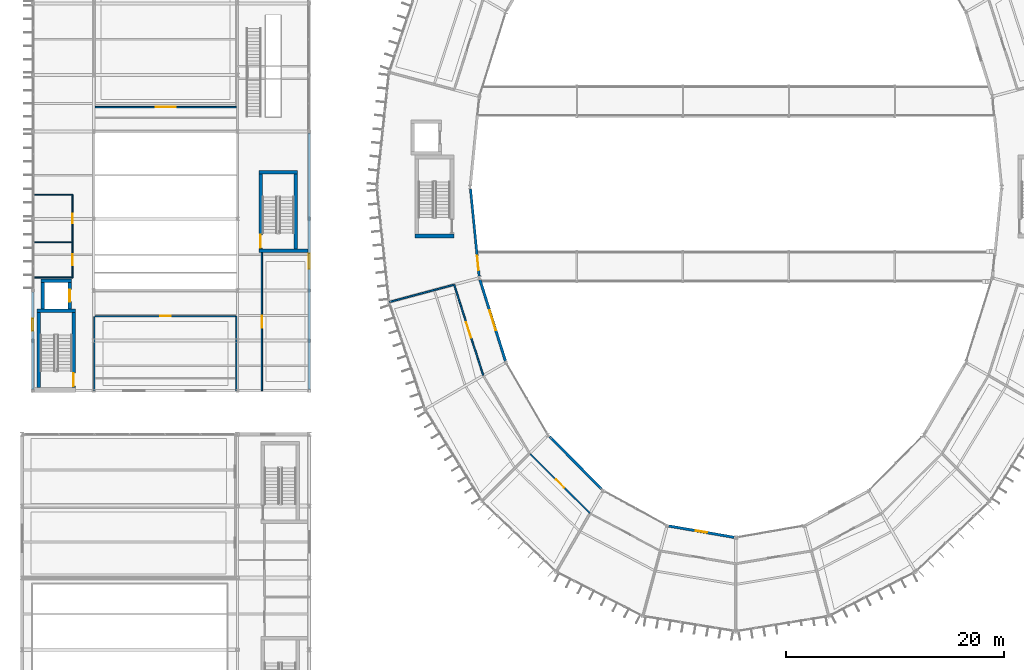
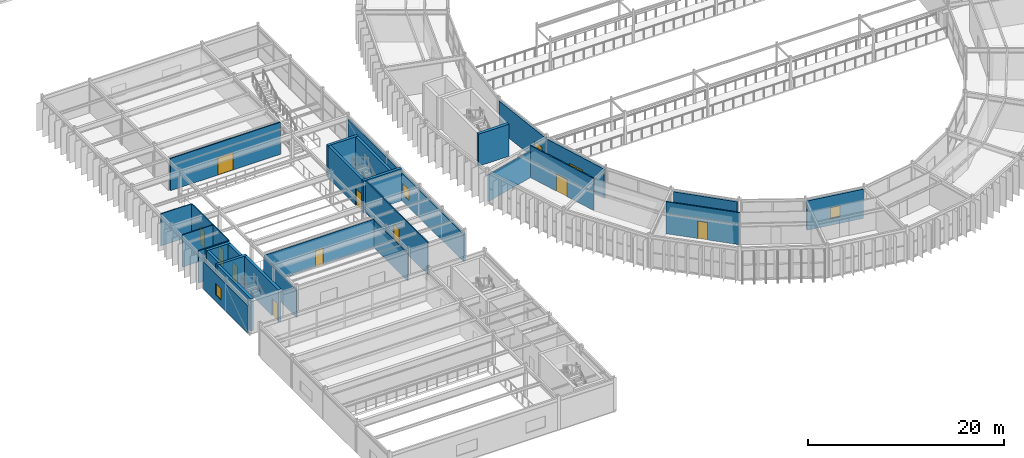
# One storey, part 122 of 148: 30 walls, 11 doors, 4 windows, 15 openings.
"""IFC4 building model written with IfcOpenShell, lengths in metres."""

from ifc_helpers import new_model, si_unit, direction, frame, frame_2d, origin, place, context, subcontext, project, spatial, rectangle, extrude, material, layer, layer_set, type_object, element, fill, save


model = new_model("IFC4")

# Units and contexts
model_context = context("Model", 3, precision=1e-05, world=origin(), true_north=direction((0.0, 1.0)))
body_context = subcontext(model_context, "Body", "Model", "MODEL_VIEW")
ifc_project = project(units=[si_unit("LENGTHUNIT", "METRE"), si_unit("AREAUNIT", "SQUARE_METRE"), si_unit("VOLUMEUNIT", "CUBIC_METRE"), si_unit("PLANEANGLEUNIT", "RADIAN"), si_unit("MASSUNIT", "GRAM", prefix="KILO")], contexts=[model_context])

# Site, building, storey
site_placement = place(None, origin())
site = spatial("IfcSite", under=ifc_project, at=site_placement, CompositionType="ELEMENT")
building_placement = place(site_placement, origin())
building = spatial("IfcBuilding", under=site, at=building_placement, Name="Karori Crest Natural Sciences Institute", CompositionType="ELEMENT")
storey_placement = place(building_placement, frame((0.0, 0.0, 4.89990234375)))
storey = spatial("IfcBuildingStorey", under=building, at=storey_placement, Name="L01", CompositionType="ELEMENT", Elevation=4.89990234375)

# Walls
ifc_material_1 = material(Name="Concrete 50 MPa", Category="concrete")
ifc_layer_1 = layer(ifc_material_1, 0.35009765625, Name="Concrete 50 MPa")
ifc_layer_set_1 = layer_set([ifc_layer_1], Name="Concrete 50 MPa")
wall_type_1 = type_object("IfcWallType", Name="IWT-02", PredefinedType="SHEAR", material=ifc_layer_set_1)
wall_1_placement = place(storey_placement, frame((36.89990234375, 45.425048828125, 0.0), z_axis=(0.0, 0.0, 1.0), x_axis=(1.0, 0.0, 0.0)))
element("IfcWall", 1, at=wall_1_placement, inside=storey, type_object=wall_type_1, Name="Shear wall IW-0045", PredefinedType="SHEAR", context=body_context, shape_type="SweptSolid", body=[
    extrude(rectangle(XDim=3.60009765625, YDim=0.35009765625, at=frame_2d((1.800048828125, 0.0))), origin(), (0.0, 0.0, 1.0), 3.97998046875),
])
ifc_layer_2 = layer(ifc_material_1, 0.320068359375, Name="Concrete 50 MPa")
ifc_layer_set_2 = layer_set([ifc_layer_2], Name="Concrete 50 MPa")
wall_type_2 = type_object("IfcWallType", Name="IWT-03", PredefinedType="SHEAR", material=ifc_layer_set_2)
wall_2_placement = place(storey_placement, frame((2.179931640625, 38.56005859375, 0.0), z_axis=(0.0, 0.0, 1.0), x_axis=(1.0, 0.0, 0.0)))
element("IfcWall", 2, at=wall_2_placement, inside=storey, type_object=wall_type_2, Name="Shear wall IW-0234", PredefinedType="SHEAR", context=body_context, shape_type="SweptSolid", body=[
    extrude(rectangle(XDim=3.5400390625, YDim=0.320068359375, at=frame_2d((1.77001953125, 0.0))), origin(), (0.0, 0.0, 1.0), 4.0),
])
wall_3_placement = place(storey_placement, frame((2.340087890625, 31.501953125, 0.0), z_axis=(0.0, 0.0, 1.0), x_axis=(0.0, 1.0, 0.0)))
element("IfcWall", 3, at=wall_3_placement, inside=storey, type_object=wall_type_2, Name="Shear wall IW-0235", PredefinedType="SHEAR", context=body_context, shape_type="SweptSolid", body=[
    extrude(rectangle(XDim=6.89599609375, YDim=0.320068359375, at=frame_2d((3.447998046875, 0.0))), origin(), (0.0, 0.0, 1.0), 4.0),
])

# Wall, opening, door
wall_4_placement = place(storey_placement, frame((5.56005859375, 31.501953125, 0.0), z_axis=(0.0, 0.0, 1.0), x_axis=(0.0, 1.0, 0.0)))
wall_4 = element("IfcWall", 4, at=wall_4_placement, inside=storey, type_object=wall_type_2, Name="Shear wall IW-0236", PredefinedType="SHEAR", context=body_context, shape_type="SweptSolid", body=[
    extrude(rectangle(XDim=6.89599609375, YDim=0.320068359375, at=frame_2d((3.447998046875, 0.0))), origin(), (0.0, 0.0, 1.0), 4.0),
])
opening_1_placement = place(wall_4_placement, frame((0.1201171875, 0.0, 0.0)))
opening_1 = element("IfcOpeningElement", 5, at=opening_1_placement, cuts=wall_4, Name="Opening ID-0059", PredefinedType="OPENING", context=body_context, shape_type="SweptSolid", body=[
    extrude(rectangle(XDim=1.199951171875, YDim=2.14990234375, at=frame_2d((0.60009765625, 1.074951171875))), frame((0.0, 0.169921875, 0.0), z_axis=(0.0, -1.0, 0.0), x_axis=(1.0, 0.0, 0.0)), (0.0, 0.0, 1.0), 0.340087890625),
])
ifc_material_2 = material(Name="Stainless steel 316 and fire-rated timber", Category="steel")
door_type_1 = type_object("IfcDoorType", Name="IDT-01", OperationType="NOTDEFINED", PredefinedType="DOOR", material=ifc_material_2)
door_1_placement = place(opening_1_placement, origin())
door_1 = element("IfcDoor", 6, at=door_1_placement, inside=storey, type_object=door_type_1, Name="Stair ST-07 fire door ID-0059", OperationType="SINGLE_SWING_LEFT", OverallHeight=2.14990234375, OverallWidth=1.199951171875, PredefinedType="DOOR", context=body_context, shape_type="SweptSolid", body=[
    extrude(rectangle(XDim=1.199951171875, YDim=2.14990234375, at=frame_2d((0.60009765625, 1.074951171875))), frame((0.0, 0.02490234375, 0.0), z_axis=(0.0, -1.0, 0.0), x_axis=(1.0, 0.0, 0.0)), (0.0, 0.0, 1.0), 0.050048828125),
])
fill(opening_1, door_1)

# Walls
wall_5_placement = place(storey_placement, frame((22.580078125, 44.0400390625, 0.0), z_axis=(0.0, 0.0, 1.0), x_axis=(1.0, 0.0, 0.0)))
element("IfcWall", 7, at=wall_5_placement, inside=storey, type_object=wall_type_2, Name="Shear wall IW-0257", PredefinedType="SHEAR", context=body_context, shape_type="SweptSolid", body=[
    extrude(rectangle(XDim=4.48486328125, YDim=0.320068359375, at=frame_2d((2.242431640625, 0.0))), origin(), (0.0, 0.0, 1.0), 4.0),
])
wall_6_placement = place(storey_placement, frame((22.580078125, 51.260009765625, 0.0), z_axis=(0.0, 0.0, 1.0), x_axis=(1.0, 0.0, 0.0)))
element("IfcWall", 8, at=wall_6_placement, inside=storey, type_object=wall_type_2, Name="Shear wall IW-0258", PredefinedType="SHEAR", context=body_context, shape_type="SweptSolid", body=[
    extrude(rectangle(XDim=3.5400390625, YDim=0.320068359375, at=frame_2d((1.77001953125, 0.0))), origin(), (0.0, 0.0, 1.0), 4.0),
])

# Wall, opening, door
wall_7_placement = place(storey_placement, frame((22.739990234375, 44.201904296875, 0.0), z_axis=(0.0, 0.0, 1.0), x_axis=(0.0, 1.0, 0.0)))
wall_7 = element("IfcWall", 9, at=wall_7_placement, inside=storey, type_object=wall_type_2, Name="Shear wall IW-0259", PredefinedType="SHEAR", context=body_context, shape_type="SweptSolid", body=[
    extrude(rectangle(XDim=6.89599609375, YDim=0.320068359375, at=frame_2d((3.447998046875, 0.0))), origin(), (0.0, 0.0, 1.0), 4.0),
])
opening_2_placement = place(wall_7_placement, frame((0.1201171875, 0.0, 0.0)))
opening_2 = element("IfcOpeningElement", 10, at=opening_2_placement, cuts=wall_7, Name="Opening ID-0065", PredefinedType="OPENING", context=body_context, shape_type="SweptSolid", body=[
    extrude(rectangle(XDim=1.199951171875, YDim=2.14990234375, at=frame_2d((0.60009765625, 1.074951171875))), frame((0.0, 0.169921875, 0.0), z_axis=(0.0, -1.0, 0.0), x_axis=(1.0, 0.0, 0.0)), (0.0, 0.0, 1.0), 0.340087890625),
])
door_2_placement = place(opening_2_placement, origin())
door_2 = element("IfcDoor", 11, at=door_2_placement, inside=storey, type_object=door_type_1, Name="Stair ST-08 fire door ID-0065", OperationType="SINGLE_SWING_LEFT", OverallHeight=2.14990234375, OverallWidth=1.199951171875, PredefinedType="DOOR", context=body_context, shape_type="SweptSolid", body=[
    extrude(rectangle(XDim=1.199951171875, YDim=2.14990234375, at=frame_2d((0.60009765625, 1.074951171875))), frame((0.0, 0.02490234375, 0.0), z_axis=(0.0, -1.0, 0.0), x_axis=(1.0, 0.0, 0.0)), (0.0, 0.0, 1.0), 0.050048828125),
])
fill(opening_2, door_2)

# Walls
wall_8_placement = place(storey_placement, frame((25.9599609375, 44.201904296875, 0.0), z_axis=(0.0, 0.0, 1.0), x_axis=(0.0, 1.0, 0.0)))
element("IfcWall", 12, at=wall_8_placement, inside=storey, type_object=wall_type_2, Name="Shear wall IW-0260", PredefinedType="SHEAR", context=body_context, shape_type="SweptSolid", body=[
    extrude(rectangle(XDim=6.89599609375, YDim=0.320068359375, at=frame_2d((3.447998046875, 0.0))), origin(), (0.0, 0.0, 1.0), 4.0),
])
wall_9_placement = place(storey_placement, frame((2.544921875, 41.294921875, 0.0), z_axis=(0.0, 0.0, 1.0), x_axis=(1.0, 0.0, 0.0)))
element("IfcWall", 13, at=wall_9_placement, inside=storey, type_object=wall_type_2, Name="Shear wall IW-0475", PredefinedType="SHEAR", context=body_context, shape_type="SweptSolid", body=[
    extrude(rectangle(XDim=2.81005859375, YDim=0.320068359375, at=frame_2d((1.405029296875, 0.0))), origin(), (0.0, 0.0, 1.0), 4.0),
])
wall_10_placement = place(storey_placement, frame((2.705078125, 38.721923828125, 0.0), z_axis=(0.0, 0.0, 1.0), x_axis=(0.0, 1.0, 0.0)))
element("IfcWall", 14, at=wall_10_placement, inside=storey, type_object=wall_type_2, Name="Shear wall IW-0476", PredefinedType="SHEAR", context=body_context, shape_type="SweptSolid", body=[
    extrude(rectangle(XDim=2.4111328125, YDim=0.320068359375, at=frame_2d((1.20556640625, 0.0))), origin(), (0.0, 0.0, 1.0), 4.0),
])

# Wall, opening, door
wall_11_placement = place(storey_placement, frame((5.195068359375, 38.721923828125, 0.0), z_axis=(0.0, 0.0, 1.0), x_axis=(0.0, 1.0, 0.0)))
wall_11 = element("IfcWall", 15, at=wall_11_placement, inside=storey, type_object=wall_type_2, Name="Shear wall IW-0477", PredefinedType="SHEAR", context=body_context, shape_type="SweptSolid", body=[
    extrude(rectangle(XDim=2.4111328125, YDim=0.320068359375, at=frame_2d((1.20556640625, 0.0))), origin(), (0.0, 0.0, 1.0), 4.0),
])
opening_3_placement = place(wall_11_placement, frame((0.655517578125, 0.0, 0.0)))
opening_3 = element("IfcOpeningElement", 16, at=opening_3_placement, cuts=wall_11, Name="Opening LD-0044", PredefinedType="OPENING", context=body_context, shape_type="SweptSolid", body=[
    extrude(rectangle(XDim=1.10009765625, YDim=2.14990234375, at=frame_2d((0.550048828125, 1.074951171875))), frame((0.0, 0.169921875, 0.0), z_axis=(0.0, -1.0, 0.0), x_axis=(1.0, 0.0, 0.0)), (0.0, 0.0, 1.0), 0.340087890625),
])
door_type_2 = type_object("IfcDoorType", Name="LDT-01", OperationType="SLIDING_TO_LEFT", PredefinedType="DOOR", material=ifc_material_2)
door_3_placement = place(opening_3_placement, origin())
door_3 = element("IfcDoor", 17, at=door_3_placement, inside=storey, type_object=door_type_2, Name="Lift LP-03 landing door LD-0044", OperationType="SLIDING_TO_LEFT", OverallHeight=2.14990234375, OverallWidth=1.10009765625, PredefinedType="DOOR", context=body_context, shape_type="SweptSolid", body=[
    extrude(rectangle(XDim=1.10009765625, YDim=2.14990234375, at=frame_2d((0.550048828125, 1.074951171875))), frame((0.0, 0.02490234375, 0.0), z_axis=(0.0, -1.0, 0.0), x_axis=(1.0, 0.0, 0.0)), (0.0, 0.0, 1.0), 0.050048828125),
])
fill(opening_3, door_3)

ifc_material_3 = material(Name="Laboratory acoustic drywall partition")
ifc_layer_3 = layer(ifc_material_3, 0.139892578125, Name="Laboratory acoustic drywall partition")
ifc_layer_set_3 = layer_set([ifc_layer_3], Name="Laboratory acoustic drywall partition")
wall_type_3 = type_object("IfcWallType", Name="IWT-07", PredefinedType="PARTITIONING", material=ifc_layer_set_3)
wall_12_placement = place(storey_placement, frame((7.531982421875, 57.25, 0.0), z_axis=(0.0, 0.0, 1.0), x_axis=(1.0, 0.0, 0.0)))
wall_12 = element("IfcWall", 18, at=wall_12_placement, inside=storey, type_object=wall_type_3, Name="Partition wall IW-1091", PredefinedType="PARTITIONING", context=body_context, shape_type="SweptSolid", body=[
    extrude(rectangle(XDim=12.968017578125, YDim=0.139892578125, at=frame_2d((6.48388671875, 0.0))), origin(), (0.0, 0.0, 1.0), 4.0),
])
opening_4_placement = place(wall_12_placement, frame((5.583984375, 0.0, 0.0)))
opening_4 = element("IfcOpeningElement", 19, at=opening_4_placement, cuts=wall_12, Name="Opening ID-0315", PredefinedType="OPENING", context=body_context, shape_type="SweptSolid", body=[
    extrude(rectangle(XDim=1.800048828125, YDim=2.199951171875, at=frame_2d((0.89990234375, 1.10009765625))), frame((0.0, 0.080078125, 0.0), z_axis=(0.0, -1.0, 0.0), x_axis=(1.0, 0.0, 0.0)), (0.0, 0.0, 1.0), 0.159912109375),
])
door_type_3 = type_object("IfcDoorType", Name="IDT-15", OperationType="DOUBLE_DOOR_SINGLE_SWING", PredefinedType="DOOR", material=ifc_material_2)
door_4_placement = place(opening_4_placement, origin())
door_4 = element("IfcDoor", 20, at=door_4_placement, inside=storey, type_object=door_type_3, Name="Natural History Exhibition Hall door ID-0315", OperationType="DOUBLE_DOOR_SINGLE_SWING", OverallHeight=2.199951171875, OverallWidth=1.800048828125, PredefinedType="DOOR", context=body_context, shape_type="SweptSolid", body=[
    extrude(rectangle(XDim=1.800048828125, YDim=2.199951171875, at=frame_2d((0.89990234375, 1.10009765625))), frame((0.0, 0.02490234375, 0.0), z_axis=(0.0, -1.0, 0.0), x_axis=(1.0, 0.0, 0.0)), (0.0, 0.0, 1.0), 0.050048828125),
])
fill(opening_4, door_4)

wall_13_placement = place(storey_placement, frame((40.51318359375, 40.94482421875, 0.0), z_axis=(0.0, 0.0, 1.0), x_axis=(0.305493323507, -0.952194218263, 0.0)))
wall_13 = element("IfcWall", 21, at=wall_13_placement, inside=storey, type_object=wall_type_3, Name="Partition wall IW-1230", PredefinedType="PARTITIONING", context=body_context, shape_type="SweptSolid", body=[
    extrude(rectangle(XDim=8.763671875, YDim=0.139892578125, at=frame_2d((4.3818359375, 0.0))), origin(), (0.0, 0.0, 1.0), 3.97998046875),
])
opening_5_placement = place(wall_13_placement, frame((3.6318359375, 0.0, 0.0)))
opening_5 = element("IfcOpeningElement", 22, at=opening_5_placement, cuts=wall_13, Name="Opening ID-0375", PredefinedType="OPENING", context=body_context, shape_type="SweptSolid", body=[
    extrude(rectangle(XDim=1.5, YDim=2.14990234375, at=frame_2d((0.75, 1.074951171875))), frame((0.0, 0.080078125, 0.0), z_axis=(0.0, -1.0, 0.0), x_axis=(1.0, 0.0, 0.0)), (0.0, 0.0, 1.0), 0.159912109375),
])
door_type_4 = type_object("IfcDoorType", Name="IDT-05", OperationType="DOUBLE_DOOR_SINGLE_SWING", PredefinedType="DOOR", material=ifc_material_2)
door_5_placement = place(opening_5_placement, origin())
door_5 = element("IfcDoor", 23, at=door_5_placement, inside=storey, type_object=door_type_4, Name="Paleoclimate Core Analysis Laboratory door ID-0375", OperationType="DOUBLE_DOOR_SINGLE_SWING", OverallHeight=2.14990234375, OverallWidth=1.5, PredefinedType="DOOR", context=body_context, shape_type="SweptSolid", body=[
    extrude(rectangle(XDim=1.5, YDim=2.14990234375, at=frame_2d((0.75, 1.074951171875))), frame((0.0, 0.02490234375, 0.0), z_axis=(0.0, -1.0, 0.0), x_axis=(1.0, 0.0, 0.0)), (0.0, 0.0, 1.0), 0.050048828125),
])
fill(opening_5, door_5)

# Wall
wall_14_placement = place(storey_placement, frame((40.435791015625, 40.92431640625, 0.0), z_axis=(0.0, 0.0, 1.0), x_axis=(-0.965916578341, -0.258853556448, 0.0)))
element("IfcWall", 24, at=wall_14_placement, inside=storey, type_object=wall_type_3, Name="Partition wall IW-1232", PredefinedType="PARTITIONING", context=body_context, shape_type="SweptSolid", body=[
    extrude(rectangle(XDim=6.059814453125, YDim=0.139892578125, at=frame_2d((3.02978515625, 0.0))), origin(), (0.0, 0.0, 1.0), 3.322998046875),
])

# Wall, opening, door
wall_15_placement = place(storey_placement, frame((47.500732421875, 25.38330078125, 0.0), z_axis=(0.0, 0.0, 1.0), x_axis=(0.71042636545, -0.703771539119, 0.0)))
wall_15 = element("IfcWall", 25, at=wall_15_placement, inside=storey, type_object=wall_type_3, Name="Partition wall IW-1234", PredefinedType="PARTITIONING", context=body_context, shape_type="SweptSolid", body=[
    extrude(rectangle(XDim=7.74072265625, YDim=0.139892578125, at=frame_2d((3.870361328125, 0.0))), origin(), (0.0, 0.0, 1.0), 3.97998046875),
])
opening_6_placement = place(wall_15_placement, frame((3.345458984375, 0.0, 0.0)))
opening_6 = element("IfcOpeningElement", 26, at=opening_6_placement, cuts=wall_15, Name="Opening ID-0376", PredefinedType="OPENING", context=body_context, shape_type="SweptSolid", body=[
    extrude(rectangle(XDim=1.050048828125, YDim=2.14990234375, at=frame_2d((0.52490234375, 1.074951171875))), frame((0.0, 0.080078125, 0.0), z_axis=(0.0, -1.0, 0.0), x_axis=(1.0, 0.0, 0.0)), (0.0, 0.0, 1.0), 0.159912109375),
])
door_type_5 = type_object("IfcDoorType", Name="IDT-03", OperationType="NOTDEFINED", PredefinedType="DOOR", material=ifc_material_2)
door_6_placement = place(opening_6_placement, origin())
door_6 = element("IfcDoor", 27, at=door_6_placement, inside=storey, type_object=door_type_5, Name="Mass Spectrometry Instrument Room door ID-0376", OperationType="SINGLE_SWING_LEFT", OverallHeight=2.14990234375, OverallWidth=1.050048828125, PredefinedType="DOOR", context=body_context, shape_type="SweptSolid", body=[
    extrude(rectangle(XDim=1.050048828125, YDim=2.14990234375, at=frame_2d((0.52490234375, 1.074951171875))), frame((0.0, 0.02490234375, 0.0), z_axis=(0.0, -1.0, 0.0), x_axis=(1.0, 0.0, 0.0)), (0.0, 0.0, 1.0), 0.050048828125),
])
fill(opening_6, door_6)

ifc_material_4 = material(Name="Write-up office acoustic partition")
ifc_layer_4 = layer(ifc_material_4, 0.1201171875, Name="Write-up office acoustic partition")
ifc_layer_set_4 = layer_set([ifc_layer_4], Name="Write-up office acoustic partition")
wall_type_4 = type_object("IfcWallType", Name="IWT-08", PredefinedType="PARTITIONING", material=ifc_layer_set_4)
wall_16_placement = place(storey_placement, frame((7.531982421875, 38.050048828125, 0.0), z_axis=(0.0, 0.0, 1.0), x_axis=(1.0, 0.0, 0.0)))
wall_16 = element("IfcWall", 28, at=wall_16_placement, inside=storey, type_object=wall_type_4, Name="Partition wall IW-1094", PredefinedType="PARTITIONING", context=body_context, shape_type="SweptSolid", body=[
    extrude(rectangle(XDim=12.89599609375, YDim=0.1201171875, at=frame_2d((6.447998046875, 0.0))), origin(), (0.0, 0.0, 1.0), 3.59814453125),
])
opening_7_placement = place(wall_16_placement, frame((5.972900390625, 0.0, 0.0)))
opening_7 = element("IfcOpeningElement", 29, at=opening_7_placement, cuts=wall_16, Name="Opening ID-0316", PredefinedType="OPENING", context=body_context, shape_type="SweptSolid", body=[
    extrude(rectangle(XDim=0.949951171875, YDim=2.10009765625, at=frame_2d((0.47509765625, 1.050048828125))), frame((0.0, 0.070068359375, 0.0), z_axis=(0.0, -1.0, 0.0), x_axis=(1.0, 0.0, 0.0)), (0.0, 0.0, 1.0), 0.14013671875),
])
ifc_material_5 = material(Name="Anodised aluminium and acoustic timber", Category="wood")
door_type_6 = type_object("IfcDoorType", Name="IDT-08", OperationType="NOTDEFINED", PredefinedType="DOOR", material=ifc_material_5)
door_7_placement = place(opening_7_placement, origin())
door_7 = element("IfcDoor", 30, at=door_7_placement, inside=storey, type_object=door_type_6, Name="Research Reading Room door ID-0316", OperationType="SINGLE_SWING_RIGHT", OverallHeight=2.10009765625, OverallWidth=0.949951171875, PredefinedType="DOOR", context=body_context, shape_type="SweptSolid", body=[
    extrude(rectangle(XDim=0.949951171875, YDim=2.10009765625, at=frame_2d((0.47509765625, 1.050048828125))), frame((0.0, 0.02490234375, 0.0), z_axis=(0.0, -1.0, 0.0), x_axis=(1.0, 0.0, 0.0)), (0.0, 0.0, 1.0), 0.050048828125),
])
fill(opening_7, door_7)

# Walls
wall_17_placement = place(storey_placement, frame((7.449951171875, 31.199951171875, 0.0), z_axis=(0.0, 0.0, 1.0), x_axis=(0.0, 1.0, 0.0)))
element("IfcWall", 31, at=wall_17_placement, inside=storey, type_object=wall_type_4, Name="Partition wall IW-1095", PredefinedType="PARTITIONING", context=body_context, shape_type="SweptSolid", body=[
    extrude(rectangle(XDim=6.7880859375, YDim=0.1201171875, at=frame_2d((3.39404296875, 0.0))), origin(), (0.0, 0.0, 1.0), 3.445068359375),
])
wall_18_placement = place(storey_placement, frame((20.5, 31.199951171875, 0.0), z_axis=(0.0, 0.0, 1.0), x_axis=(0.0, 1.0, 0.0)))
element("IfcWall", 32, at=wall_18_placement, inside=storey, type_object=wall_type_4, Name="Partition wall IW-1096", PredefinedType="PARTITIONING", context=body_context, shape_type="SweptSolid", body=[
    extrude(rectangle(XDim=6.85009765625, YDim=0.1201171875, at=frame_2d((3.425048828125, 0.0))), origin(), (0.0, 0.0, 1.0), 3.445068359375),
])

# Wall, opening, door
wall_19_placement = place(storey_placement, frame((22.85009765625, 31.199951171875, 0.0), z_axis=(0.0, 0.0, 1.0), x_axis=(0.0, 1.0, 0.0)))
wall_19 = element("IfcWall", 33, at=wall_19_placement, inside=storey, type_object=wall_type_4, Name="Partition wall IW-1097", PredefinedType="PARTITIONING", context=body_context, shape_type="SweptSolid", body=[
    extrude(rectangle(XDim=12.679931640625, YDim=0.1201171875, at=frame_2d((6.33984375, 0.0))), origin(), (0.0, 0.0, 1.0), 4.0),
])
opening_8_placement = place(wall_19_placement, frame((5.800048828125, 0.0, 0.0)))
opening_8 = element("IfcOpeningElement", 34, at=opening_8_placement, cuts=wall_19, Name="Opening ID-0317", PredefinedType="OPENING", context=body_context, shape_type="SweptSolid", body=[
    extrude(rectangle(XDim=1.080078125, YDim=2.1201171875, at=frame_2d((0.5400390625, 1.06005859375))), frame((0.0, 0.070068359375, 0.0), z_axis=(0.0, -1.0, 0.0), x_axis=(1.0, 0.0, 0.0)), (0.0, 0.0, 1.0), 0.14013671875),
])
door_type_7 = type_object("IfcDoorType", Name="IDT-12", OperationType="NOTDEFINED", PredefinedType="DOOR", material=ifc_material_5)
door_8_placement = place(opening_8_placement, origin())
door_8 = element("IfcDoor", 35, at=door_8_placement, inside=storey, type_object=door_type_7, Name="Collaborative Commons Studio door ID-0317", OperationType="SINGLE_SWING_LEFT", OverallHeight=2.1201171875, OverallWidth=1.080078125, PredefinedType="DOOR", context=body_context, shape_type="SweptSolid", body=[
    extrude(rectangle(XDim=1.080078125, YDim=2.1201171875, at=frame_2d((0.5400390625, 1.06005859375))), frame((0.0, 0.02490234375, 0.0), z_axis=(0.0, -1.0, 0.0), x_axis=(1.0, 0.0, 0.0)), (0.0, 0.0, 1.0), 0.050048828125),
])
fill(opening_8, door_8)

# Walls
ifc_material_6 = material(Name="Washroom moisture-resistant partition")
ifc_layer_5 = layer(ifc_material_6, 0.10009765625, Name="Washroom moisture-resistant partition")
ifc_layer_set_5 = layer_set([ifc_layer_5], Name="Washroom moisture-resistant partition")
wall_type_5 = type_object("IfcWallType", Name="IWT-09", PredefinedType="PARTITIONING", material=ifc_layer_set_5)
for number, where, z_axis, x_axis, name in (
    (36, (1.800048828125, 41.60009765625, 0.0), (0.0, 0.0, 1.0), (1.0, 0.0, 0.0), "Partition wall IW-1098"),
    (37, (1.800048828125, 44.85009765625, 0.0), (0.0, 0.0, 1.0), (1.0, 0.0, 0.0), "Partition wall IW-1099"),
):
    element("IfcWall", number, at=place(storey_placement, frame(where, z_axis=z_axis, x_axis=x_axis)), inside=storey, type_object=wall_type_5, Name=name, PredefinedType="PARTITIONING", context=body_context, shape_type="SweptSolid", body=[
        extrude(rectangle(XDim=3.64990234375, YDim=0.10009765625, at=frame_2d((1.824951171875, 0.0))), origin(), (0.0, 0.0, 1.0), 4.0),
    ])

# Wall, opening, door
wall_20_placement = place(storey_placement, frame((5.449951171875, 41.60009765625, 0.0), z_axis=(0.0, 0.0, 1.0), x_axis=(0.0, 1.0, 0.0)))
wall_20 = element("IfcWall", 38, at=wall_20_placement, inside=storey, type_object=wall_type_5, Name="Partition wall IW-1100", PredefinedType="PARTITIONING", context=body_context, shape_type="SweptSolid", body=[
    extrude(rectangle(XDim=3.25, YDim=0.10009765625, at=frame_2d((1.625, 0.0))), origin(), (0.0, 0.0, 1.0), 4.0),
])
opening_9_placement = place(wall_20_placement, frame((1.125, 0.0, 0.0)))
opening_9 = element("IfcOpeningElement", 39, at=opening_9_placement, cuts=wall_20, Name="Opening ID-0318", PredefinedType="OPENING", context=body_context, shape_type="SweptSolid", body=[
    extrude(rectangle(XDim=1.0, YDim=2.10009765625, at=frame_2d((0.5, 1.050048828125))), frame((0.0, 0.06005859375, 0.0), z_axis=(0.0, -1.0, 0.0), x_axis=(1.0, 0.0, 0.0)), (0.0, 0.0, 1.0), 0.1201171875),
])
door_type_8 = type_object("IfcDoorType", Name="IDT-09", OperationType="NOTDEFINED", PredefinedType="DOOR", material=ifc_material_5)
door_9_placement = place(opening_9_placement, origin())
door_9 = element("IfcDoor", 40, at=door_9_placement, inside=storey, type_object=door_type_8, Name="Accessible WC door ID-0318", OperationType="SINGLE_SWING_RIGHT", OverallHeight=2.10009765625, OverallWidth=1.0, PredefinedType="DOOR", context=body_context, shape_type="SweptSolid", body=[
    extrude(rectangle(XDim=1.0, YDim=2.10009765625, at=frame_2d((0.5, 1.050048828125))), frame((0.0, 0.02490234375, 0.0), z_axis=(0.0, -1.0, 0.0), x_axis=(1.0, 0.0, 0.0)), (0.0, 0.0, 1.0), 0.050048828125),
])
fill(opening_9, door_9)

# Wall
wall_21_placement = place(storey_placement, frame((1.800048828125, 49.199951171875, 0.0), z_axis=(0.0, 0.0, 1.0), x_axis=(1.0, 0.0, 0.0)))
element("IfcWall", 41, at=wall_21_placement, inside=storey, type_object=wall_type_5, Name="Partition wall IW-1101", PredefinedType="PARTITIONING", context=body_context, shape_type="SweptSolid", body=[
    extrude(rectangle(XDim=3.64990234375, YDim=0.10009765625, at=frame_2d((1.824951171875, 0.0))), origin(), (0.0, 0.0, 1.0), 4.0),
])

# Wall, opening, door
wall_22_placement = place(storey_placement, frame((5.449951171875, 44.85205078125, 0.0), z_axis=(0.0, 0.0, 1.0), x_axis=(0.0, 1.0, 0.0)))
wall_22 = element("IfcWall", 42, at=wall_22_placement, inside=storey, type_object=wall_type_5, Name="Partition wall IW-1102", PredefinedType="PARTITIONING", context=body_context, shape_type="SweptSolid", body=[
    extrude(rectangle(XDim=4.347900390625, YDim=0.10009765625, at=frame_2d((2.173828125, 0.0))), origin(), (0.0, 0.0, 1.0), 4.0),
])
opening_10_placement = place(wall_22_placement, frame((1.73388671875, 0.0, 0.0)))
opening_10 = element("IfcOpeningElement", 43, at=opening_10_placement, cuts=wall_22, Name="Opening ID-0319", PredefinedType="OPENING", context=body_context, shape_type="SweptSolid", body=[
    extrude(rectangle(XDim=0.8798828125, YDim=2.080078125, at=frame_2d((0.43994140625, 1.0400390625))), frame((0.0, 0.06005859375, 0.0), z_axis=(0.0, -1.0, 0.0), x_axis=(1.0, 0.0, 0.0)), (0.0, 0.0, 1.0), 0.1201171875),
])
door_type_9 = type_object("IfcDoorType", Name="IDT-10", OperationType="NOTDEFINED", PredefinedType="DOOR", material=ifc_material_5)
door_10_placement = place(opening_10_placement, origin())
door_10 = element("IfcDoor", 44, at=door_10_placement, inside=storey, type_object=door_type_9, Name="Staff Washroom WC door ID-0319", OperationType="SINGLE_SWING_LEFT", OverallHeight=2.080078125, OverallWidth=0.8798828125, PredefinedType="DOOR", context=body_context, shape_type="SweptSolid", body=[
    extrude(rectangle(XDim=0.8798828125, YDim=2.080078125, at=frame_2d((0.43994140625, 1.0400390625))), frame((0.0, 0.02490234375, 0.0), z_axis=(0.0, -1.0, 0.0), x_axis=(1.0, 0.0, 0.0)), (0.0, 0.0, 1.0), 0.050048828125),
])
fill(opening_10, door_10)

# Wall, opening, window
ifc_material_7 = material(Name="Precast concrete 40 MPa", Category="concrete")
ifc_layer_6 = layer(ifc_material_7, 0.239990234375, Name="Precast concrete 40 MPa")
ifc_layer_set_6 = layer_set([ifc_layer_6], Name="Precast concrete 40 MPa")
wall_type_6 = type_object("IfcWallType", Name="WT-04", PredefinedType="SOLIDWALL", material=ifc_layer_set_6)
wall_23_placement = place(storey_placement, frame((42.879150390625, 41.413818359375, 0.0), z_axis=(0.0, 0.0, 1.0), x_axis=(0.299477830639, -0.954103259064, 0.0)))
wall_23 = element("IfcWall", 45, at=wall_23_placement, inside=storey, type_object=wall_type_6, Name="Exterior wall EW-0045", PredefinedType="SOLIDWALL", context=body_context, shape_type="SweptSolid", body=[
    extrude(rectangle(XDim=7.845703125, YDim=0.239990234375, at=frame_2d((3.9228515625, 0.0))), origin(), (0.0, 0.0, 1.0), 3.650146484375),
])
opening_11_placement = place(wall_23_placement, frame((2.972900390625, 0.0, 0.85009765625)))
opening_11 = element("IfcOpeningElement", 46, at=opening_11_placement, cuts=wall_23, Name="Opening WN-0012", PredefinedType="OPENING", context=body_context, shape_type="SweptSolid", body=[
    extrude(rectangle(XDim=1.89990234375, YDim=1.25, at=frame_2d((0.949951171875, 0.625))), frame((0.0, 0.1298828125, 0.0), z_axis=(0.0, -1.0, 0.0), x_axis=(1.0, 0.0, 0.0)), (0.0, 0.0, 1.0), 0.260009765625),
])
ifc_material_8 = material(Name="Double low-E laminated glass", Category="glass")
window_type_1 = type_object("IfcWindowType", Name="WNT-14", PartitioningType="SINGLE_PANEL", PredefinedType="WINDOW", material=ifc_material_8)
window_1_placement = place(opening_11_placement, origin())
window_1 = element("IfcWindow", 47, at=window_1_placement, inside=storey, type_object=window_type_1, Name="Window WN-0012", OverallHeight=1.25, OverallWidth=1.89990234375, PartitioningType="SINGLE_PANEL", PredefinedType="WINDOW", context=body_context, shape_type="SweptSolid", body=[
    extrude(rectangle(XDim=1.89990234375, YDim=1.25, at=frame_2d((0.949951171875, 0.625))), frame((0.0, 0.030029296875, 0.0), z_axis=(0.0, -1.0, 0.0), x_axis=(1.0, 0.0, 0.0)), (0.0, 0.0, 1.0), 0.06005859375),
])
fill(opening_11, window_1)

# Wall
wall_24_placement = place(storey_placement, frame((49.298583984375, 26.977294921875, 0.0), z_axis=(0.0, 0.0, 1.0), x_axis=(0.702651385176, -0.711534279505, 0.0)))
element("IfcWall", 48, at=wall_24_placement, inside=storey, type_object=wall_type_6, Name="Exterior wall EW-0046", PredefinedType="SOLIDWALL", context=body_context, shape_type="SweptSolid", body=[
    extrude(rectangle(XDim=6.76123046875, YDim=0.239990234375, at=frame_2d((3.380615234375, 0.0))), origin(), (0.0, 0.0, 1.0), 3.650146484375),
])

# Wall, opening, window
wall_25_placement = place(storey_placement, frame((60.21728515625, 18.774169921875, 0.0), z_axis=(0.0, 0.0, 1.0), x_axis=(0.985241011519, -0.171172863562, 0.0)))
wall_25 = element("IfcWall", 49, at=wall_25_placement, inside=storey, type_object=wall_type_6, Name="Exterior wall EW-0047", PredefinedType="SOLIDWALL", context=body_context, shape_type="SweptSolid", body=[
    extrude(rectangle(XDim=6.12158203125, YDim=0.239990234375, at=frame_2d((3.060791015625, 0.0))), origin(), (0.0, 0.0, 1.0), 3.650146484375),
])
opening_12_placement = place(wall_25_placement, frame((2.535888671875, 0.0, 0.85009765625)))
opening_12 = element("IfcOpeningElement", 50, at=opening_12_placement, cuts=wall_25, Name="Opening WN-0013", PredefinedType="OPENING", context=body_context, shape_type="SweptSolid", body=[
    extrude(rectangle(XDim=1.050048828125, YDim=1.35009765625, at=frame_2d((0.52490234375, 0.675048828125))), frame((0.0, 0.1298828125, 0.0), z_axis=(0.0, -1.0, 0.0), x_axis=(1.0, 0.0, 0.0)), (0.0, 0.0, 1.0), 0.260009765625),
])
window_type_2 = type_object("IfcWindowType", Name="WNT-18", PartitioningType="SINGLE_PANEL", PredefinedType="WINDOW", material=ifc_material_8)
window_2_placement = place(opening_12_placement, origin())
window_2 = element("IfcWindow", 51, at=window_2_placement, inside=storey, type_object=window_type_2, Name="Window WN-0013", OverallHeight=1.35009765625, OverallWidth=1.050048828125, PartitioningType="SINGLE_PANEL", PredefinedType="WINDOW", context=body_context, shape_type="SweptSolid", body=[
    extrude(rectangle(XDim=1.050048828125, YDim=1.35009765625, at=frame_2d((0.52490234375, 0.675048828125))), frame((0.0, 0.030029296875, 0.0), z_axis=(0.0, -1.0, 0.0), x_axis=(1.0, 0.0, 0.0)), (0.0, 0.0, 1.0), 0.06005859375),
])
fill(opening_12, window_2)

# Wall, opening, door
ifc_layer_7 = layer(ifc_material_7, 0.219970703125, Name="Precast concrete 40 MPa")
ifc_layer_set_7 = layer_set([ifc_layer_7], Name="Precast concrete 40 MPa")
wall_type_7 = type_object("IfcWallType", Name="WT-05", PredefinedType="SOLIDWALL", material=ifc_layer_set_7)
wall_26_placement = place(storey_placement, frame((42.015380859375, 49.744384765625, 0.0), z_axis=(0.0, 0.0, 1.0), x_axis=(0.099275964263, -0.99505993936, 0.0)))
wall_26 = element("IfcWall", 52, at=wall_26_placement, inside=storey, type_object=wall_type_7, Name="Exterior wall EW-0044", PredefinedType="SOLIDWALL", context=body_context, shape_type="SweptSolid", body=[
    extrude(rectangle(XDim=8.066162109375, YDim=0.219970703125, at=frame_2d((4.033203125, 0.0))), origin(), (0.0, 0.0, 1.0), 3.650146484375),
])
opening_13_placement = place(wall_26_placement, frame((6.17626953125, 0.0, 0.0)))
opening_13 = element("IfcOpeningElement", 53, at=opening_13_placement, cuts=wall_26, Name="Opening ED-0009", PredefinedType="OPENING", context=body_context, shape_type="SweptSolid", body=[
    extrude(rectangle(XDim=1.35009765625, YDim=2.14990234375, at=frame_2d((0.675048828125, 1.074951171875))), frame((0.0, 0.1201171875, 0.0), z_axis=(0.0, -1.0, 0.0), x_axis=(1.0, 0.0, 0.0)), (0.0, 0.0, 1.0), 0.239990234375),
])
ifc_material_9 = material(Name="Anodised architectural aluminium 6063-T6", Category="aluminium")
door_type_10 = type_object("IfcDoorType", Name="EDT-06", OperationType="NOTDEFINED", PredefinedType="DOOR", material=ifc_material_9)
door_11_placement = place(opening_13_placement, origin())
door_11 = element("IfcDoor", 54, at=door_11_placement, inside=storey, type_object=door_type_10, Name="Courtyard bridge door ED-0009", OperationType="SINGLE_SWING_RIGHT", OverallHeight=2.14990234375, OverallWidth=1.35009765625, PredefinedType="DOOR", context=body_context, shape_type="SweptSolid", body=[
    extrude(rectangle(XDim=1.35009765625, YDim=2.14990234375, at=frame_2d((0.675048828125, 1.074951171875))), frame((0.0, 0.02490234375, 0.0), z_axis=(0.0, -1.0, 0.0), x_axis=(1.0, 0.0, 0.0)), (0.0, 0.0, 1.0), 0.050048828125),
])
fill(opening_13, door_11)

# Wall, opening, window
wall_27_placement = place(storey_placement, frame((1.800048828125, 31.322998046875, 0.0), z_axis=(0.0, 0.0, 1.0), x_axis=(0.0, 1.0, 0.0)))
wall_27 = element("IfcWall", 55, at=wall_27_placement, inside=storey, type_object=wall_type_7, Name="Exterior wall EW-0137", PredefinedType="SOLIDWALL", context=body_context, shape_type="SweptSolid", body=[
    extrude(rectangle(XDim=8.9541015625, YDim=0.219970703125, at=frame_2d((4.47705078125, 0.0))), origin(), (0.0, 0.0, 1.0), 3.445068359375),
])
opening_14_placement = place(wall_27_placement, frame((5.39990234375, 0.0, 0.85009765625)))
opening_14 = element("IfcOpeningElement", 56, at=opening_14_placement, cuts=wall_27, Name="Opening WN-0074", PredefinedType="OPENING", context=body_context, shape_type="SweptSolid", body=[
    extrude(rectangle(XDim=1.10009765625, YDim=1.39990234375, at=frame_2d((0.550048828125, 0.699951171875))), frame((0.0, 0.1201171875, 0.0), z_axis=(0.0, -1.0, 0.0), x_axis=(1.0, 0.0, 0.0)), (0.0, 0.0, 1.0), 0.239990234375),
])
window_type_3 = type_object("IfcWindowType", Name="WNT-01", PartitioningType="SINGLE_PANEL", PredefinedType="WINDOW", material=ifc_material_8)
window_3_placement = place(opening_14_placement, origin())
window_3 = element("IfcWindow", 57, at=window_3_placement, inside=storey, type_object=window_type_3, Name="Window WN-0074", OverallHeight=1.39990234375, OverallWidth=1.10009765625, PartitioningType="SINGLE_PANEL", PredefinedType="WINDOW", context=body_context, shape_type="SweptSolid", body=[
    extrude(rectangle(XDim=1.10009765625, YDim=1.39990234375, at=frame_2d((0.550048828125, 0.699951171875))), frame((0.0, 0.030029296875, 0.0), z_axis=(0.0, -1.0, 0.0), x_axis=(1.0, 0.0, 0.0)), (0.0, 0.0, 1.0), 0.06005859375),
])
fill(opening_14, window_3)

wall_28_placement = place(storey_placement, frame((27.199951171875, 54.876953125, 0.0), z_axis=(0.0, 0.0, 1.0), x_axis=(0.0, -1.0, 0.0)))
wall_28 = element("IfcWall", 58, at=wall_28_placement, inside=storey, type_object=wall_type_7, Name="Exterior wall EW-0139", PredefinedType="SOLIDWALL", context=body_context, shape_type="SweptSolid", body=[
    extrude(rectangle(XDim=23.553955078125, YDim=0.219970703125, at=frame_2d((11.77685546875, 0.0))), origin(), (0.0, 0.0, 1.0), 3.445068359375),
])
opening_15_placement = place(wall_28_placement, frame((11.076904296875, 0.0, 0.85009765625)))
opening_15 = element("IfcOpeningElement", 59, at=opening_15_placement, cuts=wall_28, Name="Opening WN-0077", PredefinedType="OPENING", context=body_context, shape_type="SweptSolid", body=[
    extrude(rectangle(XDim=1.39990234375, YDim=1.39990234375, at=frame_2d((0.699951171875, 0.699951171875))), frame((0.0, 0.1201171875, 0.0), z_axis=(0.0, -1.0, 0.0), x_axis=(1.0, 0.0, 0.0)), (0.0, 0.0, 1.0), 0.239990234375),
])
window_type_4 = type_object("IfcWindowType", Name="WNT-03", PartitioningType="SINGLE_PANEL", PredefinedType="WINDOW", material=ifc_material_8)
window_4_placement = place(opening_15_placement, origin())
window_4 = element("IfcWindow", 60, at=window_4_placement, inside=storey, type_object=window_type_4, Name="Window WN-0077", OverallHeight=1.39990234375, OverallWidth=1.39990234375, PartitioningType="SINGLE_PANEL", PredefinedType="WINDOW", context=body_context, shape_type="SweptSolid", body=[
    extrude(rectangle(XDim=1.39990234375, YDim=1.39990234375, at=frame_2d((0.699951171875, 0.699951171875))), frame((0.0, 0.030029296875, 0.0), z_axis=(0.0, -1.0, 0.0), x_axis=(1.0, 0.0, 0.0)), (0.0, 0.0, 1.0), 0.06005859375),
])
fill(opening_15, window_4)

save(model, "model.ifc")
